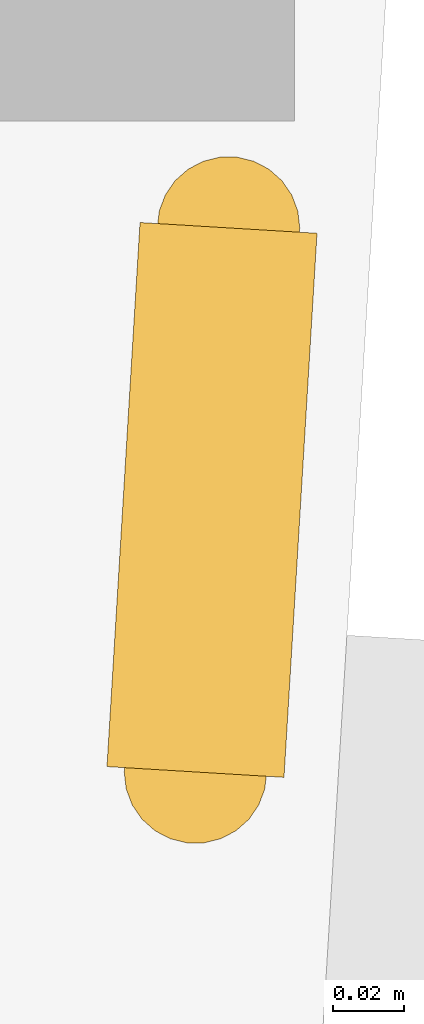
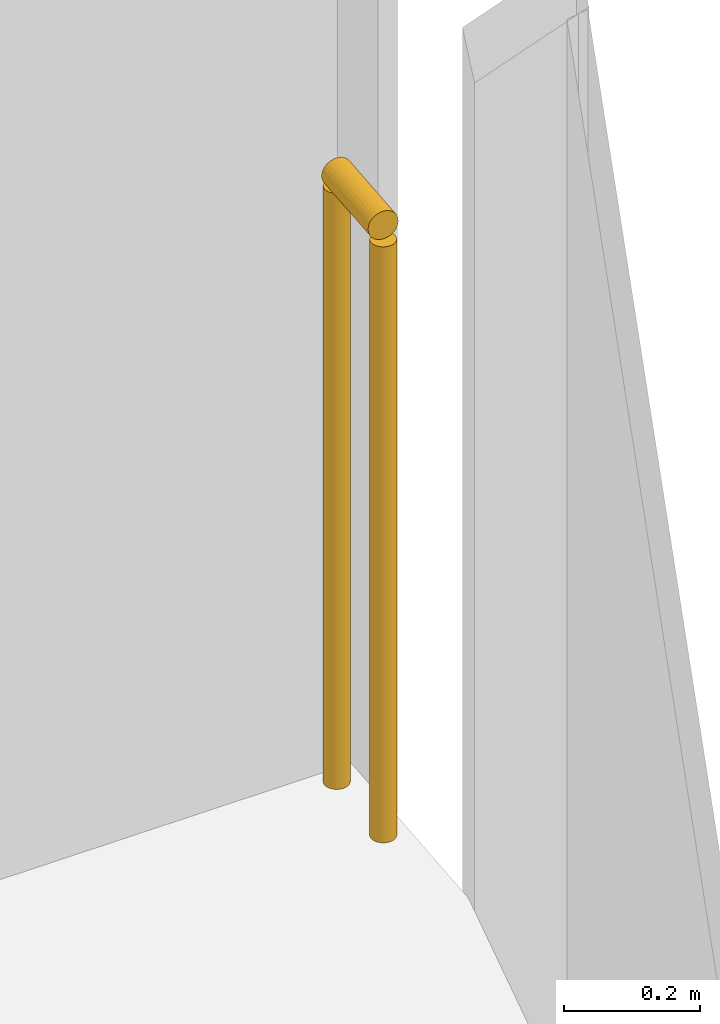
# One storey, part 31 of 32: 1 railing.
"""IFC4 building model written with IfcOpenShell, lengths in metres."""

import ifcopenshell
import ifcopenshell.guid

model = None  # the IFC model being written
_history = None  # IfcOwnerHistory: only IFC2X3 demands one
_inside = {}  # id of a spatial element -> (the spatial element, [elements in it])
_under = {}  # id of a project, library or spatial element -> (it, [spatial elements below it])
_declared = {}  # id of a project -> (the project, [libraries it declares])
_typed = {}  # id of a type object -> (the type object, [elements of that type])
_made_of = {}  # id of a material, layer set ... -> (it, [elements and type objects made of it])


def new_model(schema):
    """Start an empty IFC model of exactly this schema.

    Asked for "IFC4X3", IfcOpenShell would pick the latest addendum, in which some entities
    have other attributes; the version numbers below select the first issue.
    IFC2X3 requires an IfcOwnerHistory on every rooted entity: one is made here for all.
    """
    global model, _history
    if schema == "IFC4X3":
        model = ifcopenshell.file(schema_version=(4, 3, 0, 0))
    else:
        model = ifcopenshell.file(schema=schema)
    _inside.clear()
    _under.clear()
    _declared.clear()
    _typed.clear()
    _made_of.clear()
    _history = None
    if model.schema == "IFC2X3":
        org = make("IfcOrganization", Name="unknown")
        user = make(
            "IfcPersonAndOrganization",
            ThePerson=make("IfcPerson", FamilyName="unknown"),
            TheOrganization=org,
        )
        app = make(
            "IfcApplication",
            ApplicationDeveloper=org,
            Version="unknown",
            ApplicationFullName="unknown",
            ApplicationIdentifier="unknown",
        )
        _history = make(
            "IfcOwnerHistory",
            OwningUser=user,
            OwningApplication=app,
            ChangeAction="ADDED",
            CreationDate=0,
        )
    return model


def make(cls, **values):
    """One entity of the class cls with the attributes given. An attribute that is None is left unset."""
    return model.create_entity(
        cls, **{name: value for name, value in values.items() if value is not None}
    )


def rooted(cls, **values):
    """An entity with a GlobalId (a new one), such as an element, a storey or a relation."""
    return make(cls, GlobalId=ifcopenshell.guid.new(), OwnerHistory=_history, **values)


def si_unit(unit_type, name, prefix=None):
    """IfcSIUnit, for example si_unit("LENGTHUNIT", "METRE", prefix="MILLI")."""
    return make("IfcSIUnit", UnitType=unit_type, Prefix=prefix, Name=name)


def assignment(units):
    """IfcUnitAssignment: the units of a project."""
    return None if units is None else make("IfcUnitAssignment", Units=units)


def point(xyz):
    """IfcCartesianPoint."""
    return None if xyz is None else make("IfcCartesianPoint", Coordinates=xyz)


def direction(xyz):
    """IfcDirection."""
    return None if xyz is None else make("IfcDirection", DirectionRatios=xyz)


def frame(location, z_axis=None, x_axis=None):
    """IfcAxis2Placement3D, a coordinate frame: its origin and axes. An axis left out is left unset."""
    return make(
        "IfcAxis2Placement3D",
        Location=point(location),
        Axis=direction(z_axis),
        RefDirection=direction(x_axis),
    )


def frame_2d(location, x_axis=None):
    """IfcAxis2Placement2D, a coordinate frame in the plane: its origin and x axis."""
    return make(
        "IfcAxis2Placement2D", Location=point(location), RefDirection=direction(x_axis)
    )


def origin():
    """The frame at (0, 0, 0) with its axes left unset."""
    return frame((0.0, 0.0, 0.0))


def origin_2d():
    """The frame at (0, 0) in the plane with its x axis left unset."""
    return frame_2d((0.0, 0.0))


def place(relative_to, where):
    """IfcLocalPlacement: puts the frame where relative to a parent placement (None: the world)."""
    return make(
        "IfcLocalPlacement", PlacementRelTo=relative_to, RelativePlacement=where
    )


def context(
    kind, dimensions, precision=None, world=None, true_north=None, identifier=None
):
    """IfcGeometricRepresentationContext, for example the 3D "Model" context."""
    return make(
        "IfcGeometricRepresentationContext",
        ContextIdentifier=identifier,
        ContextType=kind,
        CoordinateSpaceDimension=dimensions,
        Precision=precision,
        WorldCoordinateSystem=world,
        TrueNorth=true_north,
    )


def subcontext(parent, identifier, kind, view, scale=None):
    """IfcGeometricRepresentationSubContext, for example "Body" below "Model"."""
    return make(
        "IfcGeometricRepresentationSubContext",
        ContextIdentifier=identifier,
        ContextType=kind,
        ParentContext=parent,
        TargetScale=scale,
        TargetView=view,
    )


def project(units=None, contexts=None):
    """IfcProject with its units and contexts."""
    return rooted(
        "IfcProject",
        Name="project",
        RepresentationContexts=contexts,
        UnitsInContext=assignment(units),
    )


def spatial(cls, under=None, at=None, **own):
    """A site, building, storey or space (cls), placed at a placement, below another one or the project."""
    s = rooted(cls, ObjectPlacement=at, **own)
    if under is not None:
        _under.setdefault(under.id(), (under, []))[1].append(s)
    return s


def profile(cls, at=None, kind="AREA", **sizes):
    """A parametric profile (cls). Its sizes go by their IFC names, for example OverallWidth=200.0."""
    return make(cls, ProfileType=kind, Position=at, **sizes)


def circle(**sizes):
    """IfcCircleProfileDef."""
    return profile("IfcCircleProfileDef", **sizes)


def extrude(swept, where, along, depth):
    """IfcExtrudedAreaSolid: the profile swept, set in the frame where, extruded along a direction by depth."""
    return make(
        "IfcExtrudedAreaSolid",
        SweptArea=swept,
        Position=where,
        ExtrudedDirection=direction(along),
        Depth=depth,
    )


def shape(context_of_items, identifier, shape_type, items):
    """IfcShapeRepresentation: the items that make up one representation, for example the "Body"."""
    return make(
        "IfcShapeRepresentation",
        ContextOfItems=context_of_items,
        RepresentationIdentifier=identifier,
        RepresentationType=shape_type,
        Items=items,
    )


def material(Name=None, Category=None):
    """IfcMaterial."""
    return make("IfcMaterial", Name=Name, Category=Category)


def made_of(thing, what):
    """Note that an element or type object is made of a material, layer set ...; save() writes the relation."""
    if what is not None:
        _made_of.setdefault(what.id(), (what, []))[1].append(thing)
    return thing


def type_object(cls, material=None, **own):
    """A type object (cls), such as IfcWallType, which elements share."""
    return made_of(rooted(cls, **own), material)


def element(
    cls,
    number,
    at=None,
    inside=None,
    cuts=None,
    type_object=None,
    material=None,
    context=None,
    identifier="Body",
    shape_type=None,
    held_by="IfcProductDefinitionShape",
    body=None,
    shapes=None,
    **own,
):
    """One element of the class cls, such as IfcWall. Its Tag is "e" and its number.

    at: its placement. inside: the storey or other place that contains it. cuts: it is an
    opening in that element (IfcRelVoidsElement). A single representation is given by context,
    identifier, shape_type and body (its items); several are given by shapes. held_by: the class
    of the entity that holds the representations. save() writes the other relations.
    """
    e = rooted(cls, Tag="e%d" % number, ObjectPlacement=at, **own)
    if body is not None:
        shapes = [shape(context, identifier, shape_type, body)]
    if shapes is not None:
        e.Representation = make(held_by, Representations=shapes)
    if inside is not None:
        _inside.setdefault(inside.id(), (inside, []))[1].append(e)
    if cuts is not None:
        rooted(
            "IfcRelVoidsElement", RelatingBuildingElement=cuts, RelatedOpeningElement=e
        )
    if type_object is not None:
        _typed.setdefault(type_object.id(), (type_object, []))[1].append(e)
    return made_of(e, material)


def aggregate(whole, parts):
    """IfcRelAggregates: a whole, such as a stair, and the parts it consists of."""
    return rooted("IfcRelAggregates", RelatingObject=whole, RelatedObjects=parts)


def save(model, path):
    """Write the relations noted so far, then the file.

    IfcRelAggregates (storeys below a building ...), IfcRelContainedInSpatialStructure (elements
    in a storey), IfcRelDefinesByType, IfcRelAssociatesMaterial and IfcRelDeclares: one each for
    every whole, place, type object, material and project.
    """
    for whole, parts in _under.values():
        aggregate(whole, parts)
    for where, things in _inside.values():
        rooted(
            "IfcRelContainedInSpatialStructure",
            RelatedElements=things,
            RelatingStructure=where,
        )
    for kind, things in _typed.values():
        rooted("IfcRelDefinesByType", RelatedObjects=things, RelatingType=kind)
    for what, things in _made_of.values():
        rooted("IfcRelAssociatesMaterial", RelatedObjects=things, RelatingMaterial=what)
    for by, libraries in _declared.values():
        rooted("IfcRelDeclares", RelatingContext=by, RelatedDefinitions=libraries)
    model.write(path)


model = new_model("IFC4")

# Units and contexts
model_context = context("Model", 3, precision=1e-05, world=origin(), true_north=direction((0.0, 1.0)))
body_context = subcontext(model_context, "Body", "Model", "MODEL_VIEW")
ifc_project = project(units=[si_unit("LENGTHUNIT", "METRE"), si_unit("AREAUNIT", "SQUARE_METRE"), si_unit("VOLUMEUNIT", "CUBIC_METRE"), si_unit("PLANEANGLEUNIT", "RADIAN"), si_unit("MASSUNIT", "GRAM", prefix="KILO")], contexts=[model_context])

# Site, building, storey
site_placement = place(None, origin())
site = spatial("IfcSite", under=ifc_project, at=site_placement, CompositionType="ELEMENT")
building_placement = place(site_placement, origin())
building = spatial("IfcBuilding", under=site, at=building_placement, Name="Orlundy Tower", CompositionType="ELEMENT")
storey_placement = place(building_placement, frame((0.0, 0.0, 149.10009765625)))
storey = spatial("IfcBuildingStorey", under=building, at=storey_placement, Name="L38", CompositionType="ELEMENT", Elevation=149.10009765625)

# Railing
ifc_material = material(Name="Stainless steel bronze finish", Category="steel")
railing_type = type_object("IfcRailingType", Name="TG1 terrace guard", PredefinedType="GUARDRAIL", material=ifc_material)
railing_placement = place(storey_placement, frame((59.7275390625, -13.819091796875, 0.0)))
element("IfcRailing", 1, at=railing_placement, inside=storey, type_object=railing_type, Name="Guard TG-L38-E01", PredefinedType="GUARDRAIL", context=body_context, shape_type="SweptSolid", body=[
    extrude(circle(Radius=0.02490234375, at=origin_2d()), frame((0.0, 0.0, 1.09521484375), z_axis=(-0.060591343374, -0.998162656639, 0.0), x_axis=(0.998162656639, -0.060591343374, 0.0)), (0.0, 0.0, 1.0), 0.153076171875),
    extrude(circle(Radius=0.02001953125, at=origin_2d()), origin(), (0.0, 0.0, 1.0), 1.070068359375),
    extrude(circle(Radius=0.02001953125, at=origin_2d()), frame((-0.00927734375, -0.15283203125, 0.0)), (0.0, 0.0, 1.0), 1.070068359375),
])

save(model, "model.ifc")
